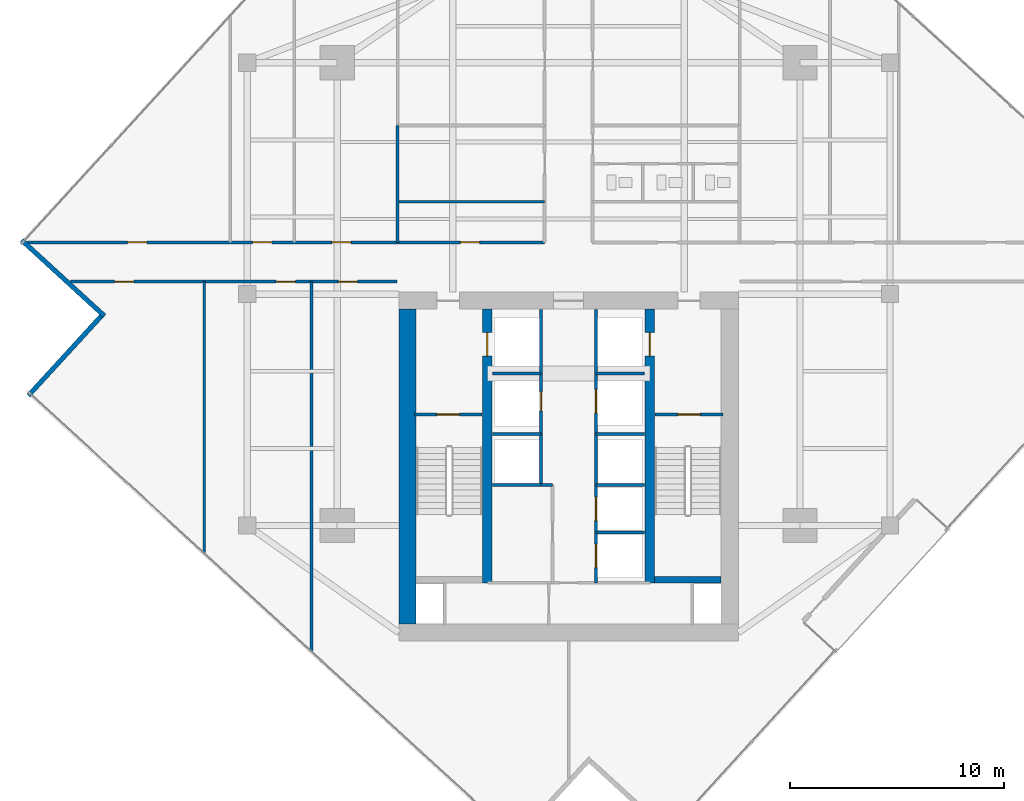
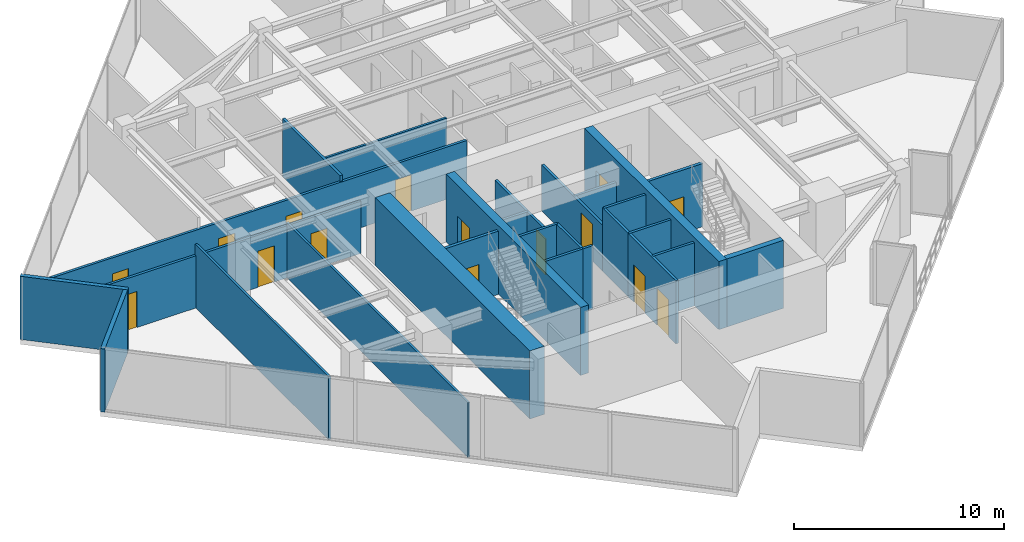
# One storey, part 22 of 26: 27 walls, 15 doors, 15 openings.
"""IFC4 building model written with IfcOpenShell, lengths in metres."""

from ifc_helpers import new_model, si_unit, direction, frame, frame_2d, origin, place, context, subcontext, project, spatial, rectangle, extrude, material, layer, layer_set, type_object, element, fill, save


model = new_model("IFC4")

# Units and contexts
model_context = context("Model", 3, precision=1e-05, world=origin(), true_north=direction((0.0, 1.0)))
body_context = subcontext(model_context, "Body", "Model", "MODEL_VIEW")
ifc_project = project(units=[si_unit("LENGTHUNIT", "METRE"), si_unit("AREAUNIT", "SQUARE_METRE"), si_unit("VOLUMEUNIT", "CUBIC_METRE"), si_unit("PLANEANGLEUNIT", "RADIAN"), si_unit("MASSUNIT", "GRAM", prefix="KILO")], contexts=[model_context])

# Site, building, storey
site_placement = place(None, origin())
site = spatial("IfcSite", under=ifc_project, at=site_placement, CompositionType="ELEMENT")
building_placement = place(site_placement, origin())
building = spatial("IfcBuilding", under=site, at=building_placement, Name="Krantzveldt Concourse Tower", CompositionType="ELEMENT")
storey_placement = place(building_placement, frame((0.0, 0.0, 227.050048828125)))
storey = spatial("IfcBuildingStorey", under=building, at=storey_placement, Name="L55", CompositionType="ELEMENT", Elevation=227.050048828125)

# Walls
ifc_material_1 = material(Name="Anodised aluminium 6063-T6", Category="aluminium")
ifc_layer_1 = layer(ifc_material_1, 0.219970703125, Name="Anodised aluminium 6063-T6", Category="aluminium")
ifc_layer_set_1 = layer_set([ifc_layer_1], Name="Anodised aluminium 6063-T6 (WL-EXT-NOTCH220)")
wall_type_1 = type_object("IfcWallType", Name="WL-EXT-NOTCH220", PredefinedType="ELEMENTEDWALL", material=ifc_layer_set_1)
wall_1_placement = place(storey_placement, frame((10.469970703125, 29.2197265625, 0.0), z_axis=(0.0, 0.0, 1.0), x_axis=(0.737293236511, -0.675572855727, 0.0)))
element("IfcWall", 1, at=wall_1_placement, inside=storey, type_object=wall_type_1, Name="EW-L55-NCH02", PredefinedType="ELEMENTEDWALL", context=body_context, shape_type="SweptSolid", body=[
    extrude(rectangle(XDim=5.2451171875, YDim=0.219970703125, at=frame_2d((2.62255859375, 0.0))), origin(), (0.0, 0.0, 1.0), 3.669921875),
])
wall_2_placement = place(storey_placement, frame((14.181640625, 25.66943359375, 0.0), z_axis=(0.0, 0.0, 1.0), x_axis=(-0.675581609375, -0.737285215553, 0.0)))
element("IfcWall", 2, at=wall_2_placement, inside=storey, type_object=wall_type_1, Name="EW-L55-NCH03", PredefinedType="ELEMENTEDWALL", context=body_context, shape_type="SweptSolid", body=[
    extrude(rectangle(XDim=5.02490234375, YDim=0.219970703125, at=frame_2d((2.512451171875, 0.0))), origin(), (0.0, 0.0, 1.0), 3.669921875),
])
ifc_material_2 = material(Name="Fire-rated gypsum plasterboard on steel stud", Category="steel")
ifc_layer_2 = layer(ifc_material_2, 0.1201171875, Name="Fire-rated gypsum plasterboard on steel stud", Category="steel")
ifc_layer_set_2 = layer_set([ifc_layer_2], Name="Fire-rated gypsum plasterboard on steel stud (WL-PART-120)")
wall_type_2 = type_object("IfcWallType", Name="WL-PART-120", PredefinedType="PARTITIONING", material=ifc_layer_set_2)
wall_3_placement = place(storey_placement, frame((28.02001953125, 31.02001953125, 0.0), z_axis=(0.0, 0.0, 1.0), x_axis=(1.0, 0.0, 0.0)))
element("IfcWall", 3, at=wall_3_placement, inside=storey, type_object=wall_type_2, Name="WP-L55-ISML", PredefinedType="PARTITIONING", context=body_context, shape_type="SweptSolid", body=[
    extrude(rectangle(XDim=6.85986328125, YDim=0.1201171875, at=frame_2d((3.429931640625, 0.0))), origin(), (0.0, 0.0, 1.0), 3.179931640625),
])
wall_4_placement = place(storey_placement, frame((19.0, 14.5947265625, 0.0), z_axis=(0.0, 0.0, 1.0), x_axis=(0.0, 1.0, 0.0)))
element("IfcWall", 4, at=wall_4_placement, inside=storey, type_object=wall_type_2, Name="WP-L55-SWX1", PredefinedType="PARTITIONING", context=body_context, shape_type="SweptSolid", body=[
    extrude(rectangle(XDim=12.685302734375, YDim=0.1201171875, at=frame_2d((6.3427734375, 0.0))), origin(), (0.0, 0.0, 1.0), 3.669921875),
])
wall_5_placement = place(storey_placement, frame((24.0, 10.012939453125, 0.0), z_axis=(0.0, 0.0, 1.0), x_axis=(0.0, 1.0, 0.0)))
element("IfcWall", 5, at=wall_5_placement, inside=storey, type_object=wall_type_2, Name="WP-L55-SWX2", PredefinedType="PARTITIONING", context=body_context, shape_type="SweptSolid", body=[
    extrude(rectangle(XDim=17.26708984375, YDim=0.1201171875, at=frame_2d((8.633544921875, 0.0))), origin(), (0.0, 0.0, 1.0), 3.179931640625),
])

# Wall, openings, doors
ifc_layer_3 = layer(ifc_material_2, 0.139892578125, Name="Fire-rated gypsum plasterboard on steel stud", Category="steel")
ifc_layer_set_3 = layer_set([ifc_layer_3], Name="Fire-rated gypsum plasterboard on steel stud (WL-PART-140)")
wall_type_3 = type_object("IfcWallType", Name="WL-PART-140", PredefinedType="PARTITIONING", material=ifc_layer_set_3)
wall_6_placement = place(storey_placement, frame((10.749267578125, 29.1201171875, 0.0), z_axis=(0.0, 0.0, 1.0), x_axis=(1.0, 0.0, 0.0)))
wall_6 = element("IfcWall", 6, at=wall_6_placement, inside=storey, type_object=wall_type_3, Name="WP-L55-EWNL", PredefinedType="PARTITIONING", context=body_context, shape_type="SweptSolid", body=[
    extrude(rectangle(XDim=24.130615234375, YDim=0.139892578125, at=frame_2d((12.0654296875, 0.0))), origin(), (0.0, 0.0, 1.0), 3.030029296875),
])
opening_1_placement = place(wall_6_placement, frame((20.200927734375, 0.0, 0.0)))
opening_1 = element("IfcOpeningElement", 7, at=opening_1_placement, cuts=wall_6, Name="Opening D-IN090", PredefinedType="OPENING", context=body_context, shape_type="SweptSolid", body=[
    extrude(rectangle(XDim=0.89990234375, YDim=2.10009765625, at=frame_2d((0.449951171875, 1.050048828125))), frame((0.0, 0.080078125, 0.0), z_axis=(0.0, -1.0, 0.0), x_axis=(1.0, 0.0, 0.0)), (0.0, 0.0, 1.0), 0.159912109375),
])
opening_2_placement = place(wall_6_placement, frame((4.663818359375, 0.0, 0.0)))
opening_2 = element("IfcOpeningElement", 8, at=opening_2_placement, cuts=wall_6, Name="Opening D-IN090", PredefinedType="OPENING", context=body_context, shape_type="SweptSolid", body=[
    extrude(rectangle(XDim=0.89990234375, YDim=2.10009765625, at=frame_2d((0.449951171875, 1.050048828125))), frame((0.0, 0.080078125, 0.0), z_axis=(0.0, -1.0, 0.0), x_axis=(1.0, 0.0, 0.0)), (0.0, 0.0, 1.0), 0.159912109375),
])
opening_3_placement = place(wall_6_placement, frame((10.500732421875, 0.0, 0.0)))
opening_3 = element("IfcOpeningElement", 9, at=opening_3_placement, cuts=wall_6, Name="Opening D-IN090", PredefinedType="OPENING", context=body_context, shape_type="SweptSolid", body=[
    extrude(rectangle(XDim=0.89990234375, YDim=2.10009765625, at=frame_2d((0.449951171875, 1.050048828125))), frame((0.0, 0.080078125, 0.0), z_axis=(0.0, -1.0, 0.0), x_axis=(1.0, 0.0, 0.0)), (0.0, 0.0, 1.0), 0.159912109375),
])
opening_4_placement = place(wall_6_placement, frame((14.200927734375, 0.0, 0.0)))
opening_4 = element("IfcOpeningElement", 10, at=opening_4_placement, cuts=wall_6, Name="Opening D-IN090", PredefinedType="OPENING", context=body_context, shape_type="SweptSolid", body=[
    extrude(rectangle(XDim=0.89990234375, YDim=2.10009765625, at=frame_2d((0.449951171875, 1.050048828125))), frame((0.0, 0.080078125, 0.0), z_axis=(0.0, -1.0, 0.0), x_axis=(1.0, 0.0, 0.0)), (0.0, 0.0, 1.0), 0.159912109375),
])
ifc_material_3 = material(Name="Hardwood timber", Category="wood")
door_type_1 = type_object("IfcDoorType", Name="DR-INT-900", OperationType="SINGLE_SWING_LEFT", PredefinedType="DOOR", material=ifc_material_3)
door_1_placement = place(opening_1_placement, origin())
door_1 = element("IfcDoor", 11, at=door_1_placement, inside=storey, type_object=door_type_1, Name="DR-L55-ALCL", OperationType="SINGLE_SWING_LEFT", OverallHeight=2.10009765625, OverallWidth=0.89990234375, PredefinedType="DOOR", context=body_context, shape_type="SweptSolid", body=[
    extrude(rectangle(XDim=0.89990234375, YDim=2.10009765625, at=frame_2d((0.449951171875, 1.050048828125))), frame((0.0, 0.02490234375, 0.0), z_axis=(0.0, -1.0, 0.0), x_axis=(1.0, 0.0, 0.0)), (0.0, 0.0, 1.0), 0.050048828125),
])
fill(opening_1, door_1)
door_2_placement = place(opening_2_placement, origin())
door_2 = element("IfcDoor", 12, at=door_2_placement, inside=storey, type_object=door_type_1, Name="DR-L55-NWX1", OperationType="SINGLE_SWING_LEFT", OverallHeight=2.10009765625, OverallWidth=0.89990234375, PredefinedType="DOOR", context=body_context, shape_type="SweptSolid", body=[
    extrude(rectangle(XDim=0.89990234375, YDim=2.10009765625, at=frame_2d((0.449951171875, 1.050048828125))), frame((0.0, 0.02490234375, 0.0), z_axis=(0.0, -1.0, 0.0), x_axis=(1.0, 0.0, 0.0)), (0.0, 0.0, 1.0), 0.050048828125),
])
fill(opening_2, door_2)
door_3_placement = place(opening_3_placement, origin())
door_3 = element("IfcDoor", 13, at=door_3_placement, inside=storey, type_object=door_type_1, Name="DR-L55-NWX2", OperationType="SINGLE_SWING_LEFT", OverallHeight=2.10009765625, OverallWidth=0.89990234375, PredefinedType="DOOR", context=body_context, shape_type="SweptSolid", body=[
    extrude(rectangle(XDim=0.89990234375, YDim=2.10009765625, at=frame_2d((0.449951171875, 1.050048828125))), frame((0.0, 0.02490234375, 0.0), z_axis=(0.0, -1.0, 0.0), x_axis=(1.0, 0.0, 0.0)), (0.0, 0.0, 1.0), 0.050048828125),
])
fill(opening_3, door_3)
door_4_placement = place(opening_4_placement, origin())
door_4 = element("IfcDoor", 14, at=door_4_placement, inside=storey, type_object=door_type_1, Name="DR-L55-NWX3", OperationType="SINGLE_SWING_LEFT", OverallHeight=2.10009765625, OverallWidth=0.89990234375, PredefinedType="DOOR", context=body_context, shape_type="SweptSolid", body=[
    extrude(rectangle(XDim=0.89990234375, YDim=2.10009765625, at=frame_2d((0.449951171875, 1.050048828125))), frame((0.0, 0.02490234375, 0.0), z_axis=(0.0, -1.0, 0.0), x_axis=(1.0, 0.0, 0.0)), (0.0, 0.0, 1.0), 0.050048828125),
])
fill(opening_4, door_4)

wall_7_placement = place(storey_placement, frame((12.757080078125, 27.280029296875, 0.0), z_axis=(0.0, 0.0, 1.0), x_axis=(1.0, 0.0, 0.0)))
wall_7 = element("IfcWall", 15, at=wall_7_placement, inside=storey, type_object=wall_type_3, Name="WP-L55-EWSL", PredefinedType="PARTITIONING", context=body_context, shape_type="SweptSolid", body=[
    extrude(rectangle(XDim=15.242919921875, YDim=0.139892578125, at=frame_2d((7.62158203125, 0.0))), origin(), (0.0, 0.0, 1.0), 3.030029296875),
])
opening_5_placement = place(wall_7_placement, frame((2.055908203125, 0.0, 0.0)))
opening_5 = element("IfcOpeningElement", 16, at=opening_5_placement, cuts=wall_7, Name="Opening D-IN090", PredefinedType="OPENING", context=body_context, shape_type="SweptSolid", body=[
    extrude(rectangle(XDim=0.89990234375, YDim=2.10009765625, at=frame_2d((0.449951171875, 1.050048828125))), frame((0.0, 0.080078125, 0.0), z_axis=(0.0, -1.0, 0.0), x_axis=(1.0, 0.0, 0.0)), (0.0, 0.0, 1.0), 0.159912109375),
])
opening_6_placement = place(wall_7_placement, frame((9.5927734375, 0.0, 0.0)))
opening_6 = element("IfcOpeningElement", 17, at=opening_6_placement, cuts=wall_7, Name="Opening D-IN090", PredefinedType="OPENING", context=body_context, shape_type="SweptSolid", body=[
    extrude(rectangle(XDim=0.89990234375, YDim=2.10009765625, at=frame_2d((0.449951171875, 1.050048828125))), frame((0.0, 0.080078125, 0.0), z_axis=(0.0, -1.0, 0.0), x_axis=(1.0, 0.0, 0.0)), (0.0, 0.0, 1.0), 0.159912109375),
])
opening_7_placement = place(wall_7_placement, frame((12.492919921875, 0.0, 0.0)))
opening_7 = element("IfcOpeningElement", 18, at=opening_7_placement, cuts=wall_7, Name="Opening D-IN090", PredefinedType="OPENING", context=body_context, shape_type="SweptSolid", body=[
    extrude(rectangle(XDim=0.89990234375, YDim=2.10009765625, at=frame_2d((0.449951171875, 1.050048828125))), frame((0.0, 0.080078125, 0.0), z_axis=(0.0, -1.0, 0.0), x_axis=(1.0, 0.0, 0.0)), (0.0, 0.0, 1.0), 0.159912109375),
])
door_5_placement = place(opening_5_placement, origin())
door_5 = element("IfcDoor", 19, at=door_5_placement, inside=storey, type_object=door_type_1, Name="DR-L55-SWX1", OperationType="SINGLE_SWING_LEFT", OverallHeight=2.10009765625, OverallWidth=0.89990234375, PredefinedType="DOOR", context=body_context, shape_type="SweptSolid", body=[
    extrude(rectangle(XDim=0.89990234375, YDim=2.10009765625, at=frame_2d((0.449951171875, 1.050048828125))), frame((0.0, 0.02490234375, 0.0), z_axis=(0.0, -1.0, 0.0), x_axis=(1.0, 0.0, 0.0)), (0.0, 0.0, 1.0), 0.050048828125),
])
fill(opening_5, door_5)
door_6_placement = place(opening_6_placement, origin())
door_6 = element("IfcDoor", 20, at=door_6_placement, inside=storey, type_object=door_type_1, Name="DR-L55-SWX2", OperationType="SINGLE_SWING_LEFT", OverallHeight=2.10009765625, OverallWidth=0.89990234375, PredefinedType="DOOR", context=body_context, shape_type="SweptSolid", body=[
    extrude(rectangle(XDim=0.89990234375, YDim=2.10009765625, at=frame_2d((0.449951171875, 1.050048828125))), frame((0.0, 0.02490234375, 0.0), z_axis=(0.0, -1.0, 0.0), x_axis=(1.0, 0.0, 0.0)), (0.0, 0.0, 1.0), 0.050048828125),
])
fill(opening_6, door_6)
door_7_placement = place(opening_7_placement, origin())
door_7 = element("IfcDoor", 21, at=door_7_placement, inside=storey, type_object=door_type_1, Name="DR-L55-SWX3", OperationType="SINGLE_SWING_LEFT", OverallHeight=2.10009765625, OverallWidth=0.89990234375, PredefinedType="DOOR", context=body_context, shape_type="SweptSolid", body=[
    extrude(rectangle(XDim=0.89990234375, YDim=2.10009765625, at=frame_2d((0.449951171875, 1.050048828125))), frame((0.0, 0.02490234375, 0.0), z_axis=(0.0, -1.0, 0.0), x_axis=(1.0, 0.0, 0.0)), (0.0, 0.0, 1.0), 0.050048828125),
])
fill(opening_7, door_7)

# Wall
wall_8_placement = place(storey_placement, frame((28.02001953125, 29.1201171875, 0.0), z_axis=(0.0, 0.0, 1.0), x_axis=(0.0, 1.0, 0.0)))
element("IfcWall", 22, at=wall_8_placement, inside=storey, type_object=wall_type_3, Name="WP-L55-ISWL", PredefinedType="PARTITIONING", context=body_context, shape_type="SweptSolid", body=[
    extrude(rectangle(XDim=5.4599609375, YDim=0.139892578125, at=frame_2d((2.72998046875, 0.0))), origin(), (0.0, 0.0, 1.0), 3.369873046875),
])

# Wall, opening, door
ifc_layer_4 = layer(ifc_material_2, 0.139892578125, Name="Fire-rated gypsum plasterboard on steel stud", Category="steel")
ifc_layer_set_4 = layer_set([ifc_layer_4], Name="Fire-rated gypsum plasterboard on steel stud (WL-PART-FR140)")
wall_type_4 = type_object("IfcWallType", Name="WL-PART-FR140", PredefinedType="PARTITIONING", material=ifc_layer_set_4)
wall_9_placement = place(storey_placement, frame((34.719970703125, 20.199951171875, 0.0), z_axis=(0.0, 0.0, 1.0), x_axis=(0.0, 1.0, 0.0)))
wall_9 = element("IfcWall", 23, at=wall_9_placement, inside=storey, type_object=wall_type_4, Name="WP-L55-SHNW", PredefinedType="PARTITIONING", context=body_context, shape_type="SweptSolid", body=[
    extrude(rectangle(XDim=5.780029296875, YDim=0.139892578125, at=frame_2d((2.89013671875, 0.0))), origin(), (0.0, 0.0, 1.0), 2.669921875),
])
opening_8_placement = place(wall_9_placement, frame((1.050048828125, 0.0, 0.0)))
opening_8 = element("IfcOpeningElement", 24, at=opening_8_placement, cuts=wall_9, Name="Opening D-FD090", PredefinedType="OPENING", context=body_context, shape_type="SweptSolid", body=[
    extrude(rectangle(XDim=0.89990234375, YDim=2.10009765625, at=frame_2d((0.449951171875, 1.050048828125))), frame((0.0, 0.080078125, 0.0), z_axis=(0.0, -1.0, 0.0), x_axis=(1.0, 0.0, 0.0)), (0.0, 0.0, 1.0), 0.159912109375),
])
door_type_2 = type_object("IfcDoorType", Name="DR-FD60-900", OperationType="SINGLE_SWING_LEFT", PredefinedType="DOOR", material=ifc_material_3)
door_8_placement = place(opening_8_placement, origin())
door_8 = element("IfcDoor", 25, at=door_8_placement, inside=storey, type_object=door_type_2, Name="Electrical Riser Access Door L55", OperationType="SINGLE_SWING_LEFT", OverallHeight=2.10009765625, OverallWidth=0.89990234375, PredefinedType="DOOR", context=body_context, shape_type="SweptSolid", body=[
    extrude(rectangle(XDim=0.89990234375, YDim=2.10009765625, at=frame_2d((0.449951171875, 1.050048828125))), frame((0.0, 0.02490234375, 0.0), z_axis=(0.0, -1.0, 0.0), x_axis=(1.0, 0.0, 0.0)), (0.0, 0.0, 1.0), 0.050048828125),
])
fill(opening_8, door_8)

wall_10_placement = place(storey_placement, frame((37.280029296875, 20.199951171875, 0.0), z_axis=(0.0, 0.0, 1.0), x_axis=(0.0, 1.0, 0.0)))
wall_10 = element("IfcWall", 26, at=wall_10_placement, inside=storey, type_object=wall_type_4, Name="WP-L55-SHNE", PredefinedType="PARTITIONING", context=body_context, shape_type="SweptSolid", body=[
    extrude(rectangle(XDim=5.780029296875, YDim=0.139892578125, at=frame_2d((2.89013671875, 0.0))), origin(), (0.0, 0.0, 1.0), 2.669921875),
])
opening_9_placement = place(wall_10_placement, frame((0.949951171875, 0.0, 0.0)))
opening_9 = element("IfcOpeningElement", 27, at=opening_9_placement, cuts=wall_10, Name="Opening LD", PredefinedType="OPENING", context=body_context, shape_type="SweptSolid", body=[
    extrude(rectangle(XDim=1.10009765625, YDim=2.14990234375, at=frame_2d((0.550048828125, 1.074951171875))), frame((0.0, 0.080078125, 0.0), z_axis=(0.0, -1.0, 0.0), x_axis=(1.0, 0.0, 0.0)), (0.0, 0.0, 1.0), 0.159912109375),
])
ifc_material_4 = material(Name="Stainless steel 316L", Category="steel")
door_type_3 = type_object("IfcDoorType", Name="DR-SLIDE-LD1100", OperationType="DOUBLE_DOOR_SLIDING", PredefinedType="DOOR", material=ifc_material_4)
door_9_placement = place(opening_9_placement, origin())
door_9 = element("IfcDoor", 28, at=door_9_placement, inside=storey, type_object=door_type_3, Name="LD-L55-GL1", OperationType="DOUBLE_DOOR_SLIDING", OverallHeight=2.14990234375, OverallWidth=1.10009765625, PredefinedType="DOOR", context=body_context, shape_type="SweptSolid", body=[
    extrude(rectangle(XDim=1.10009765625, YDim=2.14990234375, at=frame_2d((0.550048828125, 1.074951171875))), frame((0.0, 0.02490234375, 0.0), z_axis=(0.0, -1.0, 0.0), x_axis=(1.0, 0.0, 0.0)), (0.0, 0.0, 1.0), 0.050048828125),
])
fill(opening_9, door_9)

# Walls
for number, where, z_axis, x_axis, name in (
    (29, (32.449951171875, 23.0, 0.0), (0.0, 0.0, 1.0), (1.0, 0.0, 0.0), "WP-L55-RISH"),
    (30, (37.280029296875, 23.0, 0.0), (0.0, 0.0, 1.0), (1.0, 0.0, 0.0), "WP-L55-GLH"),
):
    element("IfcWall", number, at=place(storey_placement, frame(where, z_axis=z_axis, x_axis=x_axis)), inside=storey, type_object=wall_type_4, Name=name, PredefinedType="PARTITIONING", context=body_context, shape_type="SweptSolid", body=[
        extrude(rectangle(XDim=2.27001953125, YDim=0.139892578125, at=frame_2d((1.135009765625, 0.0))), origin(), (0.0, 0.0, 1.0), 2.669921875),
    ])
for number, where, z_axis, x_axis, name in (
    (31, (34.719970703125, 17.780029296875, 0.0), (0.0, 0.0, 1.0), (0.0, 1.0, 0.0), "WP-L55-SHNW2"),
    (32, (37.280029296875, 17.780029296875, 0.0), (0.0, 0.0, 1.0), (0.0, 1.0, 0.0), "WP-L55-SHNE2"),
):
    element("IfcWall", number, at=place(storey_placement, frame(where, z_axis=z_axis, x_axis=x_axis)), inside=storey, type_object=wall_type_4, Name=name, PredefinedType="PARTITIONING", context=body_context, shape_type="SweptSolid", body=[
        extrude(rectangle(XDim=2.419921875, YDim=0.139892578125, at=frame_2d((1.2099609375, 0.0))), origin(), (0.0, 0.0, 1.0), 3.669921875),
    ])
for number, where, z_axis, x_axis, name in (
    (33, (32.449951171875, 17.780029296875, 0.0), (0.0, 0.0, 1.0), (1.0, 0.0, 0.0), "WP-L55-DIVW2"),
    (34, (32.449951171875, 20.179931640625, 0.0), (0.0, 0.0, 1.0), (1.0, 0.0, 0.0), "WP-L55-DIVW3"),
    (35, (37.280029296875, 17.780029296875, 0.0), (0.0, 0.0, 1.0), (1.0, 0.0, 0.0), "WP-L55-DIVE2"),
    (36, (37.280029296875, 20.179931640625, 0.0), (0.0, 0.0, 1.0), (1.0, 0.0, 0.0), "WP-L55-DIVE3"),
):
    element("IfcWall", number, at=place(storey_placement, frame(where, z_axis=z_axis, x_axis=x_axis)), inside=storey, type_object=wall_type_4, Name=name, PredefinedType="PARTITIONING", context=body_context, shape_type="SweptSolid", body=[
        extrude(rectangle(XDim=2.27001953125, YDim=0.139892578125, at=frame_2d((1.135009765625, 0.0))), origin(), (0.0, 0.0, 1.0), 3.669921875),
    ])
wall_11_placement = place(storey_placement, frame((34.719970703125, 17.780029296875, 0.0), z_axis=(0.0, 0.0, 1.0), x_axis=(1.0, 0.0, 0.0)))
element("IfcWall", 37, at=wall_11_placement, inside=storey, type_object=wall_type_4, Name="WP-L55-RECWN", PredefinedType="PARTITIONING", context=body_context, shape_type="SweptSolid", body=[
    extrude(rectangle(XDim=0.530029296875, YDim=0.139892578125, at=frame_2d((0.26513671875, 0.0))), origin(), (0.0, 0.0, 1.0), 3.669921875),
])

# Wall, openings, doors
wall_12_placement = place(storey_placement, frame((37.280029296875, 13.219970703125, 0.0), z_axis=(0.0, 0.0, 1.0), x_axis=(0.0, 1.0, 0.0)))
wall_12 = element("IfcWall", 38, at=wall_12_placement, inside=storey, type_object=wall_type_4, Name="WP-L55-SHSE", PredefinedType="PARTITIONING", context=body_context, shape_type="SweptSolid", body=[
    extrude(rectangle(XDim=4.56005859375, YDim=0.139892578125, at=frame_2d((2.280029296875, 0.0))), origin(), (0.0, 0.0, 1.0), 3.669921875),
])
opening_10_placement = place(wall_12_placement, frame((0.7099609375, 0.0, 0.0)))
opening_10 = element("IfcOpeningElement", 39, at=opening_10_placement, cuts=wall_12, Name="Opening LD", PredefinedType="OPENING", context=body_context, shape_type="SweptSolid", body=[
    extrude(rectangle(XDim=1.10009765625, YDim=2.14990234375, at=frame_2d((0.550048828125, 1.074951171875))), frame((0.0, 0.080078125, 0.0), z_axis=(0.0, -1.0, 0.0), x_axis=(1.0, 0.0, 0.0)), (0.0, 0.0, 1.0), 0.159912109375),
])
opening_11_placement = place(wall_12_placement, frame((2.909912109375, 0.0, 0.0)))
opening_11 = element("IfcOpeningElement", 40, at=opening_11_placement, cuts=wall_12, Name="Opening LD", PredefinedType="OPENING", context=body_context, shape_type="SweptSolid", body=[
    extrude(rectangle(XDim=1.10009765625, YDim=2.14990234375, at=frame_2d((0.550048828125, 1.074951171875))), frame((0.0, 0.080078125, 0.0), z_axis=(0.0, -1.0, 0.0), x_axis=(1.0, 0.0, 0.0)), (0.0, 0.0, 1.0), 0.159912109375),
])
door_10_placement = place(opening_10_placement, origin())
door_10 = element("IfcDoor", 41, at=door_10_placement, inside=storey, type_object=door_type_3, Name="LD-L55-PM1", OperationType="DOUBLE_DOOR_SLIDING", OverallHeight=2.14990234375, OverallWidth=1.10009765625, PredefinedType="DOOR", context=body_context, shape_type="SweptSolid", body=[
    extrude(rectangle(XDim=1.10009765625, YDim=2.14990234375, at=frame_2d((0.550048828125, 1.074951171875))), frame((0.0, 0.02490234375, 0.0), z_axis=(0.0, -1.0, 0.0), x_axis=(1.0, 0.0, 0.0)), (0.0, 0.0, 1.0), 0.050048828125),
])
fill(opening_10, door_10)
door_11_placement = place(opening_11_placement, origin())
door_11 = element("IfcDoor", 42, at=door_11_placement, inside=storey, type_object=door_type_3, Name="LD-L55-PM2", OperationType="DOUBLE_DOOR_SLIDING", OverallHeight=2.14990234375, OverallWidth=1.10009765625, PredefinedType="DOOR", context=body_context, shape_type="SweptSolid", body=[
    extrude(rectangle(XDim=1.10009765625, YDim=2.14990234375, at=frame_2d((0.550048828125, 1.074951171875))), frame((0.0, 0.02490234375, 0.0), z_axis=(0.0, -1.0, 0.0), x_axis=(1.0, 0.0, 0.0)), (0.0, 0.0, 1.0), 0.050048828125),
])
fill(opening_11, door_11)

# Wall
wall_13_placement = place(storey_placement, frame((37.280029296875, 15.580078125, 0.0), z_axis=(0.0, 0.0, 1.0), x_axis=(1.0, 0.0, 0.0)))
element("IfcWall", 43, at=wall_13_placement, inside=storey, type_object=wall_type_4, Name="WP-L55-DIVE1", PredefinedType="PARTITIONING", context=body_context, shape_type="SweptSolid", body=[
    extrude(rectangle(XDim=2.27001953125, YDim=0.139892578125, at=frame_2d((1.135009765625, 0.0))), origin(), (0.0, 0.0, 1.0), 3.669921875),
])

# Wall, opening, door
ifc_layer_5 = layer(ifc_material_2, 0.159912109375, Name="Fire-rated gypsum plasterboard on steel stud", Category="steel")
ifc_layer_set_5 = layer_set([ifc_layer_5], Name="Fire-rated gypsum plasterboard on steel stud (WL-PART-FR160)")
wall_type_5 = type_object("IfcWallType", Name="WL-PART-FR160", PredefinedType="PARTITIONING", material=ifc_layer_set_5)
wall_14_placement = place(storey_placement, frame((28.800048828125, 21.080078125, 0.0), z_axis=(0.0, 0.0, 1.0), x_axis=(1.0, 0.0, 0.0)))
wall_14 = element("IfcWall", 44, at=wall_14_placement, inside=storey, type_object=wall_type_5, Name="WP-L55-ST1", PredefinedType="PARTITIONING", context=body_context, shape_type="SweptSolid", body=[
    extrude(rectangle(XDim=3.159912109375, YDim=0.159912109375, at=frame_2d((1.580078125, 0.0))), origin(), (0.0, 0.0, 1.0), 3.669921875),
])
opening_12_placement = place(wall_14_placement, frame((1.054931640625, 0.0, 0.0)))
opening_12 = element("IfcOpeningElement", 45, at=opening_12_placement, cuts=wall_14, Name="Opening D-FD105", PredefinedType="OPENING", context=body_context, shape_type="SweptSolid", body=[
    extrude(rectangle(XDim=1.050048828125, YDim=2.10009765625, at=frame_2d((0.52490234375, 1.050048828125))), frame((0.0, 0.08984375, 0.0), z_axis=(0.0, -1.0, 0.0), x_axis=(1.0, 0.0, 0.0)), (0.0, 0.0, 1.0), 0.179931640625),
])
ifc_material_5 = material(Name="Galvanised steel", Category="steel")
door_type_4 = type_object("IfcDoorType", Name="DR-FD120-1050", OperationType="SINGLE_SWING_LEFT", PredefinedType="DOOR", material=ifc_material_5)
door_12_placement = place(opening_12_placement, origin())
door_12 = element("IfcDoor", 46, at=door_12_placement, inside=storey, type_object=door_type_4, Name="DR-L55-ST1", OperationType="SINGLE_SWING_RIGHT", OverallHeight=2.10009765625, OverallWidth=1.050048828125, PredefinedType="DOOR", context=body_context, shape_type="SweptSolid", body=[
    extrude(rectangle(XDim=1.050048828125, YDim=2.10009765625, at=frame_2d((0.52490234375, 1.050048828125))), frame((0.0, 0.02490234375, 0.0), z_axis=(0.0, -1.0, 0.0), x_axis=(1.0, 0.0, 0.0)), (0.0, 0.0, 1.0), 0.050048828125),
])
fill(opening_12, door_12)

wall_15_placement = place(storey_placement, frame((40.0400390625, 21.080078125, 0.0), z_axis=(0.0, 0.0, 1.0), x_axis=(1.0, 0.0, 0.0)))
wall_15 = element("IfcWall", 47, at=wall_15_placement, inside=storey, type_object=wall_type_5, Name="WP-L55-ST2", PredefinedType="PARTITIONING", context=body_context, shape_type="SweptSolid", body=[
    extrude(rectangle(XDim=3.159912109375, YDim=0.159912109375, at=frame_2d((1.580078125, 0.0))), origin(), (0.0, 0.0, 1.0), 3.669921875),
])
opening_13_placement = place(wall_15_placement, frame((1.054931640625, 0.0, 0.0)))
opening_13 = element("IfcOpeningElement", 48, at=opening_13_placement, cuts=wall_15, Name="Opening D-FD105", PredefinedType="OPENING", context=body_context, shape_type="SweptSolid", body=[
    extrude(rectangle(XDim=1.050048828125, YDim=2.10009765625, at=frame_2d((0.52490234375, 1.050048828125))), frame((0.0, 0.08984375, 0.0), z_axis=(0.0, -1.0, 0.0), x_axis=(1.0, 0.0, 0.0)), (0.0, 0.0, 1.0), 0.179931640625),
])
door_13_placement = place(opening_13_placement, origin())
door_13 = element("IfcDoor", 49, at=door_13_placement, inside=storey, type_object=door_type_4, Name="DR-L55-ST2", OperationType="SINGLE_SWING_LEFT", OverallHeight=2.10009765625, OverallWidth=1.050048828125, PredefinedType="DOOR", context=body_context, shape_type="SweptSolid", body=[
    extrude(rectangle(XDim=1.050048828125, YDim=2.10009765625, at=frame_2d((0.52490234375, 1.050048828125))), frame((0.0, 0.02490234375, 0.0), z_axis=(0.0, -1.0, 0.0), x_axis=(1.0, 0.0, 0.0)), (0.0, 0.0, 1.0), 0.050048828125),
])
fill(opening_13, door_13)

# Wall
ifc_material_6 = material(Name="Concrete C50/60", Category="concrete")
ifc_layer_6 = layer(ifc_material_6, 0.300048828125, Name="Concrete C50/60", Category="concrete")
ifc_layer_set_6 = layer_set([ifc_layer_6], Name="Concrete C50/60 (WL-SHEAR-300)")
wall_type_6 = type_object("IfcWallType", Name="WL-SHEAR-300", PredefinedType="SHEAR", material=ifc_layer_set_6)
wall_16_placement = place(storey_placement, frame((40.02001953125, 13.3701171875, 0.0), z_axis=(0.0, 0.0, 1.0), x_axis=(1.0, 0.0, 0.0)))
element("IfcWall", 50, at=wall_16_placement, inside=storey, type_object=wall_type_6, Name="CW-L55-ST2S", PredefinedType="SHEAR", context=body_context, shape_type="SweptSolid", body=[
    extrude(rectangle(XDim=3.10009765625, YDim=0.300048828125, at=frame_2d((1.550048828125, 0.0))), origin(), (0.0, 0.0, 1.0), 3.949951171875),
])

# Wall, opening, door
ifc_layer_7 = layer(ifc_material_6, 0.449951171875, Name="Concrete C50/60", Category="concrete")
ifc_layer_set_7 = layer_set([ifc_layer_7], Name="Concrete C50/60 (WL-SHEAR-450)")
wall_type_7 = type_object("IfcWallType", Name="WL-SHEAR-450", PredefinedType="SHEAR", material=ifc_layer_set_7)
wall_17_placement = place(storey_placement, frame((32.205078125, 13.219970703125, 0.0), z_axis=(0.0, 0.0, 1.0), x_axis=(0.0, 1.0, 0.0)))
wall_17 = element("IfcWall", 51, at=wall_17_placement, inside=storey, type_object=wall_type_7, Name="CW-L55-IW", PredefinedType="SHEAR", context=body_context, shape_type="SweptSolid", body=[
    extrude(rectangle(XDim=12.780029296875, YDim=0.449951171875, at=frame_2d((6.39013671875, 0.0))), origin(), (0.0, 0.0, 1.0), 3.949951171875),
])
opening_14_placement = place(wall_17_placement, frame((10.580078125, 0.0, 0.0)))
opening_14 = element("IfcOpeningElement", 52, at=opening_14_placement, cuts=wall_17, Name="Opening LD", PredefinedType="OPENING", context=body_context, shape_type="SweptSolid", body=[
    extrude(rectangle(XDim=1.10009765625, YDim=2.14990234375, at=frame_2d((0.550048828125, 1.074951171875))), frame((0.0, 0.23486328125, 0.0), z_axis=(0.0, -1.0, 0.0), x_axis=(1.0, 0.0, 0.0)), (0.0, 0.0, 1.0), 0.469970703125),
])
door_14_placement = place(opening_14_placement, origin())
door_14 = element("IfcDoor", 53, at=door_14_placement, inside=storey, type_object=door_type_3, Name="LD-L55-FL1", OperationType="DOUBLE_DOOR_SLIDING", OverallHeight=2.14990234375, OverallWidth=1.10009765625, PredefinedType="DOOR", context=body_context, shape_type="SweptSolid", body=[
    extrude(rectangle(XDim=1.10009765625, YDim=2.14990234375, at=frame_2d((0.550048828125, 1.074951171875))), frame((0.0, 0.02490234375, 0.0), z_axis=(0.0, -1.0, 0.0), x_axis=(1.0, 0.0, 0.0)), (0.0, 0.0, 1.0), 0.050048828125),
])
fill(opening_14, door_14)

wall_18_placement = place(storey_placement, frame((39.794921875, 13.219970703125, 0.0), z_axis=(0.0, 0.0, 1.0), x_axis=(0.0, 1.0, 0.0)))
wall_18 = element("IfcWall", 54, at=wall_18_placement, inside=storey, type_object=wall_type_7, Name="CW-L55-IE", PredefinedType="SHEAR", context=body_context, shape_type="SweptSolid", body=[
    extrude(rectangle(XDim=12.780029296875, YDim=0.449951171875, at=frame_2d((6.39013671875, 0.0))), origin(), (0.0, 0.0, 1.0), 3.949951171875),
])
opening_15_placement = place(wall_18_placement, frame((10.580078125, 0.0, 0.0)))
opening_15 = element("IfcOpeningElement", 55, at=opening_15_placement, cuts=wall_18, Name="Opening LD", PredefinedType="OPENING", context=body_context, shape_type="SweptSolid", body=[
    extrude(rectangle(XDim=1.10009765625, YDim=2.14990234375, at=frame_2d((0.550048828125, 1.074951171875))), frame((0.0, 0.23486328125, 0.0), z_axis=(0.0, -1.0, 0.0), x_axis=(1.0, 0.0, 0.0)), (0.0, 0.0, 1.0), 0.469970703125),
])
door_15_placement = place(opening_15_placement, origin())
door_15 = element("IfcDoor", 56, at=door_15_placement, inside=storey, type_object=door_type_3, Name="LD-L55-FL2", OperationType="DOUBLE_DOOR_SLIDING", OverallHeight=2.14990234375, OverallWidth=1.10009765625, PredefinedType="DOOR", context=body_context, shape_type="SweptSolid", body=[
    extrude(rectangle(XDim=1.10009765625, YDim=2.14990234375, at=frame_2d((0.550048828125, 1.074951171875))), frame((0.0, 0.02490234375, 0.0), z_axis=(0.0, -1.0, 0.0), x_axis=(1.0, 0.0, 0.0)), (0.0, 0.0, 1.0), 0.050048828125),
])
fill(opening_15, door_15)

# Wall
ifc_material_7 = material(Name="Concrete C60/75", Category="concrete")
ifc_layer_8 = layer(ifc_material_7, 0.800048828125, Name="Concrete C60/75", Category="concrete")
ifc_layer_set_8 = layer_set([ifc_layer_8], Name="Concrete C60/75 (WL-SHEAR-800)")
wall_type_8 = type_object("IfcWallType", Name="WL-SHEAR-800", PredefinedType="SHEAR", material=ifc_layer_set_8)
wall_19_placement = place(storey_placement, frame((28.47998046875, 11.300048828125, 0.0), z_axis=(0.0, 0.0, 1.0), x_axis=(0.0, 1.0, 0.0)))
element("IfcWall", 57, at=wall_19_placement, inside=storey, type_object=wall_type_8, Name="CW-L55-W", PredefinedType="SHEAR", context=body_context, shape_type="SweptSolid", body=[
    extrude(rectangle(XDim=14.699951171875, YDim=0.800048828125, at=frame_2d((7.35009765625, 0.0))), origin(), (0.0, 0.0, 1.0), 3.949951171875),
])

save(model, "model.ifc")
